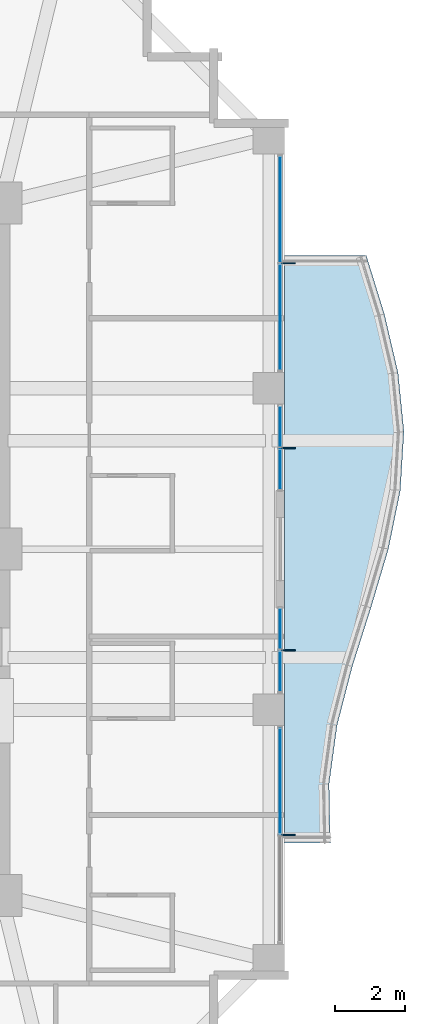
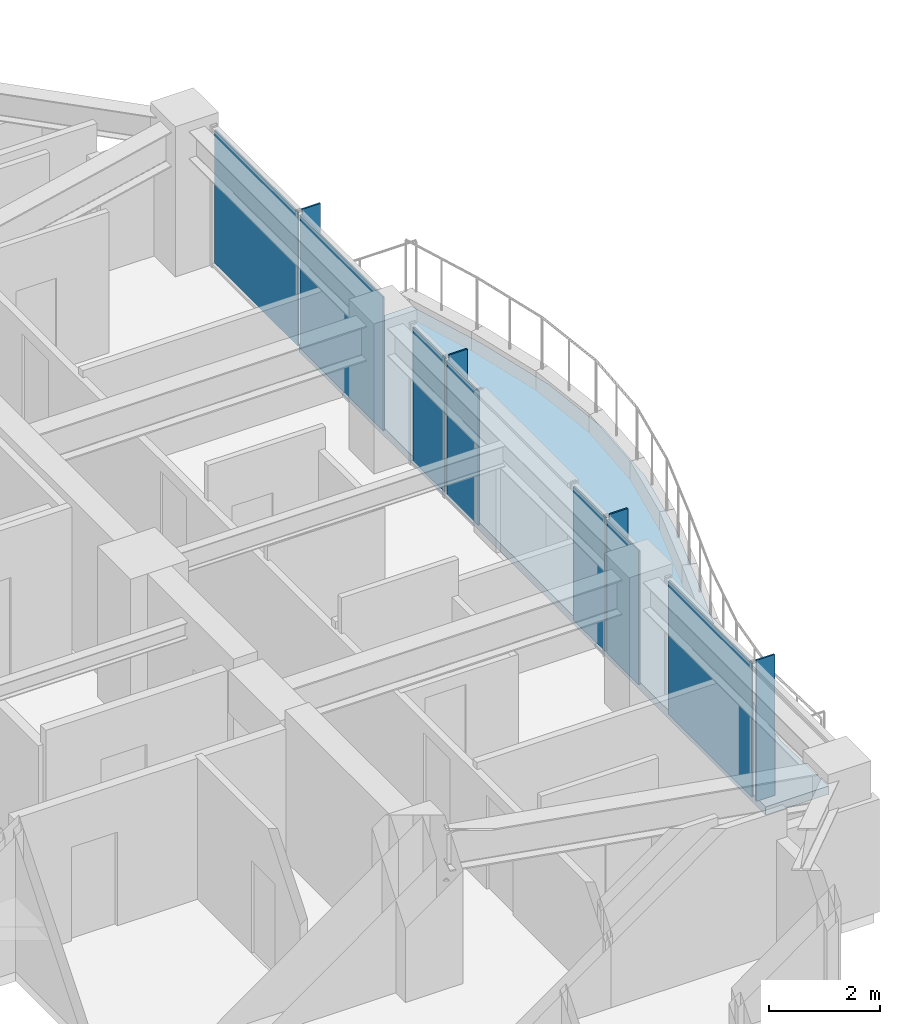
# One storey, part 25 of 32: 11 plates, 1 slab, 4 elements without a shape of their own.
"""IFC4 building model written with IfcOpenShell, lengths in metres."""

from ifc_helpers import new_model, si_unit, direction, frame, origin, origin_2d, place, context, subcontext, project, spatial, polyline, rectangle, outline, extrude, material, layer, layer_set, type_object, element, aggregate, save


model = new_model("IFC4")

# Units and contexts
model_context = context("Model", 3, precision=1e-05, world=origin(), true_north=direction((0.0, 1.0)))
body_context = subcontext(model_context, "Body", "Model", "MODEL_VIEW")
ifc_project = project(units=[si_unit("LENGTHUNIT", "METRE"), si_unit("AREAUNIT", "SQUARE_METRE"), si_unit("VOLUMEUNIT", "CUBIC_METRE"), si_unit("PLANEANGLEUNIT", "RADIAN"), si_unit("MASSUNIT", "GRAM", prefix="KILO")], contexts=[model_context])

# Site, building, storey
site_placement = place(None, origin())
site = spatial("IfcSite", under=ifc_project, at=site_placement, CompositionType="ELEMENT")
building_placement = place(site_placement, origin())
building = spatial("IfcBuilding", under=site, at=building_placement, Name="Kolvaren Belvedere", CompositionType="ELEMENT")
storey_placement = place(building_placement, frame((0.0, 0.0, 141.5)))
storey = spatial("IfcBuildingStorey", under=building, at=storey_placement, Name="L41", CompositionType="ELEMENT", Elevation=141.5)

# Curtain wall, plates
ifc_material_1 = material(Name="Anodised pale-metal aluminium AA 6063-T6", Category="aluminium")
curtain_wall_type = type_object("IfcCurtainWallType", Name="CW-Z3-WAIST", PredefinedType="NOTDEFINED", material=ifc_material_1)
curtain_wall_1_placement = place(storey_placement, origin())
curtain_wall_1 = element("IfcCurtainWall", 1, at=curtain_wall_1_placement, inside=storey, type_object=curtain_wall_type, Name="L41 Unitised Curtain Wall FCW-L41-E1-B1", PredefinedType="NOTDEFINED")
ifc_material_2 = material(Name="Low-iron triple insulated glass", Category="glass")
ifc_layer_1 = layer(ifc_material_2, 0.028076171875)
ifc_layer_set_1 = layer_set([ifc_layer_1], Name="Low-iron triple insulated glass")
plate_type_1 = type_object("IfcPlateType", Name="CW-PNL-VIS28", PredefinedType="CURTAIN_PANEL", material=ifc_layer_set_1)
plate_1_placement = place(storey_placement, frame((17.8798828125, 9.711181640625, 0.080078125), z_axis=(0.0, 0.0, 1.0), x_axis=(0.0, -1.0, 0.0)))
plate_1 = element("IfcPlate", 2, at=plate_1_placement, type_object=plate_type_1, Name="FCW-L41-E1-B1 Vision Glazing Panel 1", PredefinedType="CURTAIN_PANEL", context=body_context, shape_type="SweptSolid", body=[
    extrude(rectangle(XDim=2.992431640625, YDim=0.028076171875, at=origin_2d()), origin(), (0.0, 0.0, 1.0), 2.93994140625),
])
plate_2_placement = place(storey_placement, frame((17.8798828125, 6.638671875, 0.080078125), z_axis=(0.0, 0.0, 1.0), x_axis=(0.0, -1.0, 0.0)))
plate_2 = element("IfcPlate", 3, at=plate_2_placement, type_object=plate_type_1, Name="FCW-L41-E1-B1 Vision Glazing Panel 2", PredefinedType="CURTAIN_PANEL", context=body_context, shape_type="SweptSolid", body=[
    extrude(rectangle(XDim=2.992431640625, YDim=0.028076171875, at=origin_2d()), origin(), (0.0, 0.0, 1.0), 2.93994140625),
])
aggregate(curtain_wall_1, [plate_1, plate_2])

curtain_wall_2_placement = place(storey_placement, origin())
curtain_wall_2 = element("IfcCurtainWall", 4, at=curtain_wall_2_placement, inside=storey, type_object=curtain_wall_type, Name="L41 Unitised Curtain Wall FCW-L41-E1-B2", PredefinedType="NOTDEFINED")
plate_3_placement = place(storey_placement, frame((17.8798828125, 3.4931640625, 0.080078125), z_axis=(0.0, 0.0, 1.0), x_axis=(0.0, -1.0, 0.0)))
plate_3 = element("IfcPlate", 5, at=plate_3_placement, type_object=plate_type_1, Name="FCW-L41-E1-B2 Vision Glazing Panel 1", PredefinedType="CURTAIN_PANEL", context=body_context, shape_type="SweptSolid", body=[
    extrude(rectangle(XDim=1.12890625, YDim=0.028076171875, at=origin_2d()), origin(), (0.0, 0.0, 1.0), 2.93994140625),
])
plate_4_placement = place(storey_placement, frame((17.8798828125, 2.284423828125, 0.080078125), z_axis=(0.0, 0.0, 1.0), x_axis=(0.0, -1.0, 0.0)))
plate_4 = element("IfcPlate", 6, at=plate_4_placement, type_object=plate_type_1, Name="FCW-L41-E1-B2 Vision Glazing Panel 2", PredefinedType="CURTAIN_PANEL", context=body_context, shape_type="SweptSolid", body=[
    extrude(rectangle(XDim=1.12890625, YDim=0.028076171875, at=origin_2d()), origin(), (0.0, 0.0, 1.0), 2.93994140625),
])
aggregate(curtain_wall_2, [plate_3, plate_4])

curtain_wall_3_placement = place(storey_placement, origin())
curtain_wall_3 = element("IfcCurtainWall", 7, at=curtain_wall_3_placement, inside=storey, type_object=curtain_wall_type, Name="L41 Unitised Curtain Wall FCW-L41-E2-B1", PredefinedType="NOTDEFINED")
plate_5_placement = place(storey_placement, frame((17.8798828125, -2.284423828125, 0.080078125), z_axis=(0.0, 0.0, 1.0), x_axis=(0.0, -1.0, 0.0)))
plate_5 = element("IfcPlate", 8, at=plate_5_placement, type_object=plate_type_1, Name="FCW-L41-E2-B1 Vision Glazing Panel 1", PredefinedType="CURTAIN_PANEL", context=body_context, shape_type="SweptSolid", body=[
    extrude(rectangle(XDim=1.12890625, YDim=0.028076171875, at=origin_2d()), origin(), (0.0, 0.0, 1.0), 2.93994140625),
])
plate_6_placement = place(storey_placement, frame((17.8798828125, -3.4931640625, 0.080078125), z_axis=(0.0, 0.0, 1.0), x_axis=(0.0, -1.0, 0.0)))
plate_6 = element("IfcPlate", 9, at=plate_6_placement, type_object=plate_type_1, Name="FCW-L41-E2-B1 Vision Glazing Panel 2", PredefinedType="CURTAIN_PANEL", context=body_context, shape_type="SweptSolid", body=[
    extrude(rectangle(XDim=1.12890625, YDim=0.028076171875, at=origin_2d()), origin(), (0.0, 0.0, 1.0), 2.93994140625),
])
aggregate(curtain_wall_3, [plate_5, plate_6])

# Curtain wall, plate
curtain_wall_4_placement = place(storey_placement, origin())
curtain_wall_4 = element("IfcCurtainWall", 10, at=curtain_wall_4_placement, inside=storey, type_object=curtain_wall_type, Name="L41 Unitised Curtain Wall FCW-L41-E2-B2", PredefinedType="NOTDEFINED")
plate_7_placement = place(storey_placement, frame((17.8798828125, -6.638671875, 0.080078125), z_axis=(0.0, 0.0, 1.0), x_axis=(0.0, -1.0, 0.0)))
plate_7 = element("IfcPlate", 11, at=plate_7_placement, type_object=plate_type_1, Name="FCW-L41-E2-B2 Vision Glazing Panel 1", PredefinedType="CURTAIN_PANEL", context=body_context, shape_type="SweptSolid", body=[
    extrude(rectangle(XDim=2.992431640625, YDim=0.028076171875, at=origin_2d()), origin(), (0.0, 0.0, 1.0), 2.93994140625),
])
aggregate(curtain_wall_4, [plate_7])

# Plates
ifc_material_3 = material(Name="Anodised pale-metal aluminium AA 6063-T6", Category="aluminium")
ifc_layer_2 = layer(ifc_material_3, 0.033935546875)
ifc_layer_set_2 = layer_set([ifc_layer_2], Name="Anodised pale-metal aluminium AA 6063-T6")
plate_type_2 = type_object("IfcPlateType", Name="FIN-VERT-380", PredefinedType="USERDEFINED", material=ifc_layer_set_2)
for number, where, z_axis, x_axis, name in (
    (12, (18.1201171875, 8.175048828125, 0.0), (0.0, 0.0, 1.0), (1.0, 0.0, 0.0), "L41 Pale-Metal Vertical Shading Fin FCW-L41-E1-B1-1"),
    (13, (18.1201171875, 2.888671875, 0.0), (0.0, 0.0, 1.0), (1.0, 0.0, 0.0), "L41 Pale-Metal Vertical Shading Fin FCW-L41-E1-B2-1"),
    (14, (18.1201171875, -2.888671875, 0.0), (0.0, 0.0, 1.0), (1.0, 0.0, 0.0), "L41 Pale-Metal Vertical Shading Fin FCW-L41-E2-B1-1"),
    (15, (18.1201171875, -8.175048828125, 0.0), (0.0, 0.0, 1.0), (1.0, 0.0, 0.0), "L41 Pale-Metal Vertical Shading Fin FCW-L41-E2-B2-1"),
):
    element("IfcPlate", number, at=place(storey_placement, frame(where, z_axis=z_axis, x_axis=x_axis)), inside=storey, type_object=plate_type_2, Name=name, ObjectType="VERTICAL FIN", PredefinedType="USERDEFINED", context=body_context, shape_type="SweptSolid", body=[
        extrude(rectangle(XDim=0.3798828125, YDim=0.033935546875, at=origin_2d()), origin(), (0.0, 0.0, 1.0), 3.10009765625),
    ])

# Slab
ifc_material_4 = material(Name="Concrete C50/60", Category="concrete")
ifc_layer_3 = layer(ifc_material_4, 0.179931640625)
ifc_layer_set_3 = layer_set([ifc_layer_3], Name="Concrete C50/60")
slab_type = type_object("IfcSlabType", Name="SL-BAL-180", PredefinedType="FLOOR", material=ifc_layer_set_3)
slab_placement = place(storey_placement, frame((0.0, 0.0, -0.199951171875)))
element("IfcSlab", 16, at=slab_placement, inside=storey, type_object=slab_type, Name="L41 Planted Balcony BAL-E", PredefinedType="FLOOR", context=body_context, shape_type="SweptSolid", body=[
    extrude(outline(polyline([(19.31298828125, -8.39990234375), (19.279052734375, -6.719970703125), (19.5078125, -5.0400390625), (19.9423828125, -3.360107421875), (20.475341796875, -1.679931640625), (20.974853515625, 0.0), (21.317138671875, 1.679931640625), (21.419921875, 3.360107421875), (21.251953125, 5.0400390625), (20.8603515625, 6.719970703125), (20.340087890625, 8.39990234375), (18.0, 8.39990234375), (18.0, 6.719970703125), (18.0, 5.0400390625), (18.0, 3.360107421875), (18.0, 1.679931640625), (18.0, 0.0), (18.0, -1.679931640625), (18.0, -3.360107421875), (18.0, -5.0400390625), (18.0, -6.719970703125), (18.0, -8.39990234375), (19.31298828125, -8.39990234375)])), origin(), (0.0, 0.0, 1.0), 0.179931640625),
])

save(model, "model.ifc")
